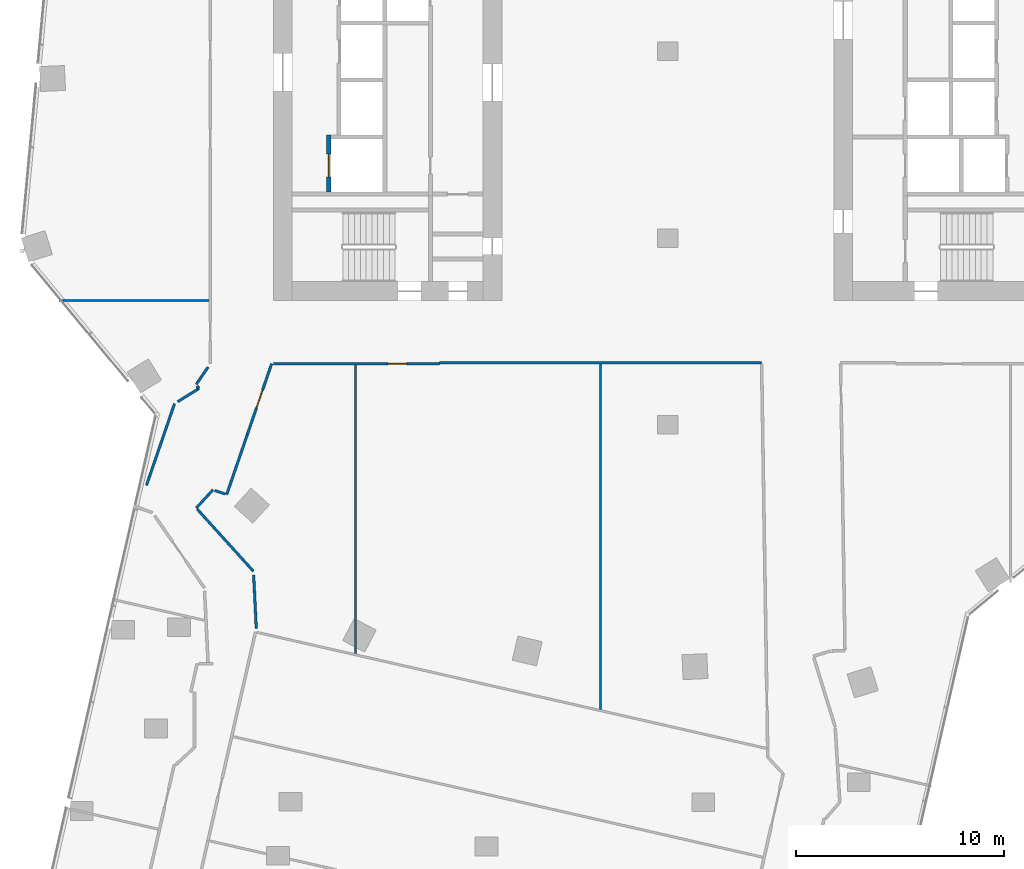
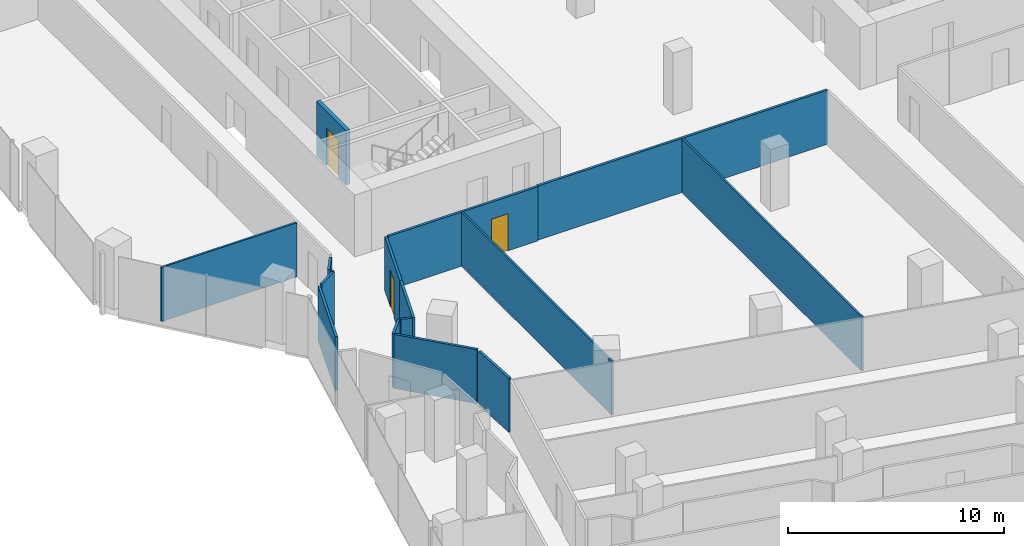
# One storey, part 19 of 24: 16 walls, 3 doors, 3 openings.
"""IFC4 building model written with IfcOpenShell, lengths in metres."""

from ifc_helpers import new_model, si_unit, direction, frame, frame_2d, origin, place, context, subcontext, project, spatial, rectangle, extrude, material, layer, layer_set, type_object, element, fill, save


model = new_model("IFC4")

# Units and contexts
model_context = context("Model", 3, precision=1e-05, world=origin(), true_north=direction((0.0, 1.0)))
body_context = subcontext(model_context, "Body", "Model", "MODEL_VIEW")
ifc_project = project(units=[si_unit("LENGTHUNIT", "METRE"), si_unit("AREAUNIT", "SQUARE_METRE"), si_unit("VOLUMEUNIT", "CUBIC_METRE"), si_unit("PLANEANGLEUNIT", "RADIAN"), si_unit("MASSUNIT", "GRAM", prefix="KILO")], contexts=[model_context])

# Site, building, storey
site_placement = place(None, origin())
site = spatial("IfcSite", under=ifc_project, at=site_placement, CompositionType="ELEMENT")
building_placement = place(site_placement, origin())
building = spatial("IfcBuilding", under=site, at=building_placement, Name="Orlundy Tower", CompositionType="ELEMENT")
storey_placement = place(building_placement, frame((0.0, 0.0, 174.10009765625)))
storey = spatial("IfcBuildingStorey", under=building, at=storey_placement, Name="L45", CompositionType="ELEMENT", Elevation=174.10009765625)

# Walls
ifc_material_1 = material(Name="Gypsum board partition")
ifc_layer_1 = layer(ifc_material_1, 0.10009765625)
ifc_layer_set_1 = layer_set([ifc_layer_1], Name="Floor partition 100")
wall_type_1 = type_object("IfcWallType", Name="Floor partition 100", PredefinedType="PARTITIONING", material=ifc_layer_set_1)
wall_1_placement = place(storey_placement, frame((-3.23388671875, -15.06201171875, 0.0), z_axis=(0.0, 0.0, 1.0), x_axis=(5.8673394e-05, -0.999999998279, 0.0)))
element("IfcWall", 1, at=wall_1_placement, inside=storey, type_object=wall_type_1, Name="wall-int-L45-001", PredefinedType="PARTITIONING", context=body_context, shape_type="SweptSolid", body=[
    extrude(rectangle(XDim=16.64404296875, YDim=0.10009765625, at=frame_2d((8.322021484375, 0.0))), origin(), (0.0, 0.0, 1.0), 3.059814453125),
])
wall_2_placement = place(storey_placement, frame((-29.346923828125, -12.0, 0.0), z_axis=(0.0, 0.0, 1.0), x_axis=(1.0, 0.0, 0.0)))
element("IfcWall", 2, at=wall_2_placement, inside=storey, type_object=wall_type_1, Name="wall-int-L45-041", PredefinedType="PARTITIONING", context=body_context, shape_type="SweptSolid", body=[
    extrude(rectangle(XDim=7.23388671875, YDim=0.10009765625, at=frame_2d((3.616943359375, 0.0))), origin(), (0.0, 0.0, 1.0), 3.059814453125),
])
wall_3_placement = place(storey_placement, frame((-15.041015625, -29.01611328125, 0.0), z_axis=(0.0, 0.0, 1.0), x_axis=(0.0, 1.0, 0.0)))
element("IfcWall", 3, at=wall_3_placement, inside=storey, type_object=wall_type_1, Name="wall-int-L45-080", PredefinedType="PARTITIONING", context=body_context, shape_type="SweptSolid", body=[
    extrude(rectangle(XDim=13.902099609375, YDim=0.10009765625, at=frame_2d((6.951171875, 0.0))), origin(), (0.0, 0.0, 1.0), 3.059814453125),
])
ifc_material_2 = material(Name="Gypsum board partition, double layer")
ifc_layer_2 = layer(ifc_material_2, 0.125)
ifc_layer_set_2 = layer_set([ifc_layer_2], Name="Floor partition 125")
wall_type_2 = type_object("IfcWallType", Name="Floor partition 125", PredefinedType="PARTITIONING", material=ifc_layer_set_2)
wall_4_placement = place(storey_placement, frame((-19.9560546875, -25.23193359375, 0.0), z_axis=(0.0, 0.0, 1.0), x_axis=(0.048635402931, -0.998816598571, 0.0)))
element("IfcWall", 4, at=wall_4_placement, inside=storey, type_object=wall_type_2, Name="wall-int-L45-006", PredefinedType="PARTITIONING", context=body_context, shape_type="SweptSolid", body=[
    extrude(rectangle(XDim=2.59033203125, YDim=0.125, at=frame_2d((1.295166015625, 0.0))), origin(), (0.0, 0.0, 1.0), 3.059814453125),
])
wall_5_placement = place(storey_placement, frame((-22.681884765625, -16.135009765625, 0.0), z_axis=(0.0, 0.0, 1.0), x_axis=(0.530154156877, -0.847901273702, 0.0)))
element("IfcWall", 5, at=wall_5_placement, inside=storey, type_object=wall_type_2, Name="wall-int-L45-009", PredefinedType="PARTITIONING", context=body_context, shape_type="SweptSolid", body=[
    extrude(rectangle(XDim=0.141357421875, YDim=0.125, at=frame_2d((0.07080078125, 0.0))), origin(), (0.0, 0.0, 1.0), 3.059814453125),
])
wall_6_placement = place(storey_placement, frame((-19.965087890625, -25.056884765625, 0.0), z_axis=(0.0, 0.0, 1.0), x_axis=(-0.671014368504, 0.741444345356, 0.0)))
element("IfcWall", 6, at=wall_6_placement, inside=storey, type_object=wall_type_2, Name="wall-int-L45-011", PredefinedType="PARTITIONING", context=body_context, shape_type="SweptSolid", body=[
    extrude(rectangle(XDim=4.048828125, YDim=0.125, at=frame_2d((2.0244140625, 0.0))), origin(), (0.0, 0.0, 1.0), 3.059814453125),
])
wall_7_placement = place(storey_placement, frame((-21.826904296875, -21.159912109375, 0.0), z_axis=(0.0, 0.0, 1.0), x_axis=(0.94566493533, -0.325142784155, 0.0)))
element("IfcWall", 7, at=wall_7_placement, inside=storey, type_object=wall_type_2, Name="wall-int-L45-012", PredefinedType="PARTITIONING", context=body_context, shape_type="SweptSolid", body=[
    extrude(rectangle(XDim=0.541259765625, YDim=0.125, at=frame_2d((0.2705078125, 0.0))), origin(), (0.0, 0.0, 1.0), 3.059814453125),
])

# Wall, opening, door
wall_8_placement = place(storey_placement, frame((-10.990966796875, -15.051025390625, 0.0), z_axis=(0.0, 0.0, 1.0), x_axis=(-1.0, 0.0, 0.0)))
wall_8 = element("IfcWall", 8, at=wall_8_placement, inside=storey, type_object=wall_type_2, Name="wall-int-L45-037", PredefinedType="PARTITIONING", context=body_context, shape_type="SweptSolid", body=[
    extrude(rectangle(XDim=8.010009765625, YDim=0.125, at=frame_2d((4.0048828125, 0.0))), origin(), (0.0, 0.0, 1.0), 3.059814453125),
])
opening_1_placement = place(wall_8_placement, frame((1.60009765625, 0.0, 0.0)))
opening_1 = element("IfcOpeningElement", 9, at=opening_1_placement, cuts=wall_8, Name="Opening 35114", PredefinedType="OPENING", context=body_context, shape_type="SweptSolid", body=[
    extrude(rectangle(XDim=0.89990234375, YDim=2.10009765625, at=frame_2d((0.449951171875, 1.050048828125))), frame((0.0, 0.072509765625, 0.0), z_axis=(0.0, -1.0, 0.0), x_axis=(1.0, 0.0, 0.0)), (0.0, 0.0, 1.0), 0.14501953125),
])
ifc_material_3 = material(Name="Timber door leaf", Category="wood")
door_type_1 = type_object("IfcDoorType", Name="Floor door single 900 FD30S", OperationType="NOTDEFINED", PredefinedType="DOOR", material=ifc_material_3)
door_1_placement = place(opening_1_placement, origin())
door_1 = element("IfcDoor", 10, at=door_1_placement, inside=storey, type_object=door_type_1, Name="Door 35114", OperationType="SINGLE_SWING_LEFT", OverallHeight=2.10009765625, OverallWidth=0.89990234375, PredefinedType="DOOR", context=body_context, shape_type="SweptSolid", body=[
    extrude(rectangle(XDim=0.89990234375, YDim=2.10009765625, at=frame_2d((0.449951171875, 1.050048828125))), frame((0.0, 0.02490234375, 0.0), z_axis=(0.0, -1.0, 0.0), x_axis=(1.0, 0.0, 0.0)), (0.0, 0.0, 1.0), 0.050048828125),
])
fill(opening_1, door_1)

# Walls
wall_9_placement = place(storey_placement, frame((-10.989990234375, -15.0009765625, 0.0), z_axis=(0.0, 0.0, 1.0), x_axis=(0.999999992074, 0.000125902959, 0.0)))
element("IfcWall", 11, at=wall_9_placement, inside=storey, type_object=wall_type_2, Name="wall-int-L45-039", PredefinedType="PARTITIONING", context=body_context, shape_type="SweptSolid", body=[
    extrude(rectangle(XDim=15.512939453125, YDim=0.125, at=frame_2d((7.75634765625, 0.0))), origin(), (0.0, 0.0, 1.0), 3.059814453125),
])
wall_10_placement = place(storey_placement, frame((-23.6201171875, -16.884033203125, 0.0), z_axis=(0.0, 0.0, 1.0), x_axis=(0.849535775132, 0.527531010245, 0.0)))
element("IfcWall", 12, at=wall_10_placement, inside=storey, type_object=wall_type_2, Name="wall-int-L45-053", PredefinedType="PARTITIONING", context=body_context, shape_type="SweptSolid", body=[
    extrude(rectangle(XDim=1.192626953125, YDim=0.125, at=frame_2d((0.59619140625, 0.0))), origin(), (0.0, 0.0, 1.0), 3.059814453125),
])
wall_11_placement = place(storey_placement, frame((-22.72412109375, -22.009033203125, 0.0), z_axis=(0.0, 0.0, 1.0), x_axis=(0.675881994125, 0.737009857477, 0.0)))
element("IfcWall", 13, at=wall_11_placement, inside=storey, type_object=wall_type_2, Name="wall-int-L45-054", PredefinedType="PARTITIONING", context=body_context, shape_type="SweptSolid", body=[
    extrude(rectangle(XDim=1.194091796875, YDim=0.125, at=frame_2d((0.59716796875, 0.0))), origin(), (0.0, 0.0, 1.0), 3.059814453125),
])
wall_12_placement = place(storey_placement, frame((-22.722900390625, -16.044921875, 0.0), z_axis=(0.0, 0.0, 1.0), x_axis=(0.567177272103, 0.823595739431, 0.0)))
element("IfcWall", 14, at=wall_12_placement, inside=storey, type_object=wall_type_2, Name="wall-int-L45-055", PredefinedType="PARTITIONING", context=body_context, shape_type="SweptSolid", body=[
    extrude(rectangle(XDim=1.00634765625, YDim=0.125, at=frame_2d((0.503173828125, 0.0))), origin(), (0.0, 0.0, 1.0), 3.059814453125),
])

# Wall, opening, door
wall_13_placement = place(storey_placement, frame((-19.089111328125, -15.051025390625, 0.0), z_axis=(0.0, 0.0, 1.0), x_axis=(-0.32495907715, -0.945728078349, 0.0)))
wall_13 = element("IfcWall", 15, at=wall_13_placement, inside=storey, type_object=wall_type_2, Name="wall-int-L45-056", PredefinedType="PARTITIONING", context=body_context, shape_type="SweptSolid", body=[
    extrude(rectangle(XDim=3.6181640625, YDim=0.125, at=frame_2d((1.80908203125, 0.0))), origin(), (0.0, 0.0, 1.0), 3.059814453125),
])
opening_2_placement = place(wall_13_placement, frame((1.35009765625, 0.0, 0.0)))
opening_2 = element("IfcOpeningElement", 16, at=opening_2_placement, cuts=wall_13, Name="Opening 35113", PredefinedType="OPENING", context=body_context, shape_type="SweptSolid", body=[
    extrude(rectangle(XDim=0.89990234375, YDim=2.10009765625, at=frame_2d((0.449951171875, 1.050048828125))), frame((0.0, 0.072509765625, 0.0), z_axis=(0.0, -1.0, 0.0), x_axis=(1.0, 0.0, 0.0)), (0.0, 0.0, 1.0), 0.14501953125),
])
door_2_placement = place(opening_2_placement, origin())
door_2 = element("IfcDoor", 17, at=door_2_placement, inside=storey, type_object=door_type_1, Name="Door 35113", OperationType="SINGLE_SWING_LEFT", OverallHeight=2.10009765625, OverallWidth=0.89990234375, PredefinedType="DOOR", context=body_context, shape_type="SweptSolid", body=[
    extrude(rectangle(XDim=0.89990234375, YDim=2.10009765625, at=frame_2d((0.449951171875, 1.050048828125))), frame((0.0, 0.02490234375, 0.0), z_axis=(0.0, -1.0, 0.0), x_axis=(1.0, 0.0, 0.0)), (0.0, 0.0, 1.0), 0.050048828125),
])
fill(opening_2, door_2)

# Walls
wall_14_placement = place(storey_placement, frame((-21.2548828125, -21.35595703125, 0.0), z_axis=(0.0, 0.0, 1.0), x_axis=(0.324768620484, 0.94579349921, 0.0)))
element("IfcWall", 18, at=wall_14_placement, inside=storey, type_object=wall_type_2, Name="wall-int-L45-057", PredefinedType="PARTITIONING", context=body_context, shape_type="SweptSolid", body=[
    extrude(rectangle(XDim=3.04833984375, YDim=0.125, at=frame_2d((1.524169921875, 0.0))), origin(), (0.0, 0.0, 1.0), 3.059814453125),
])
wall_15_placement = place(storey_placement, frame((-25.123046875, -20.9169921875, 0.0), z_axis=(0.0, 0.0, 1.0), x_axis=(0.324794759411, 0.945784523165, 0.0)))
element("IfcWall", 19, at=wall_15_placement, inside=storey, type_object=wall_type_2, Name="wall-int-L45-058", PredefinedType="PARTITIONING", context=body_context, shape_type="SweptSolid", body=[
    extrude(rectangle(XDim=4.165771484375, YDim=0.125, at=frame_2d((2.0830078125, 0.0))), origin(), (0.0, 0.0, 1.0), 3.059814453125),
])

# Wall, opening, door
ifc_material_4 = material(Name="Fire-rated blockwork shaft wall", Category="masonry")
ifc_layer_3 = layer(ifc_material_4, 0.199951171875)
ifc_layer_set_3 = layer_set([ifc_layer_3], Name="Shaft Wall 200")
wall_type_3 = type_object("IfcWallType", Name="Shaft Wall 200", PredefinedType="SOLIDWALL", material=ifc_layer_set_3)
wall_16_placement = place(storey_placement, frame((-16.340087890625, -6.77490234375, 0.0), z_axis=(0.0, 0.0, 1.0), x_axis=(0.0, 1.0, 0.0)))
wall_16 = element("IfcWall", 20, at=wall_16_placement, inside=storey, type_object=wall_type_3, Name="Shaft wall W35-front-o-a", PredefinedType="SOLIDWALL", context=body_context, shape_type="SweptSolid", body=[
    extrude(rectangle(XDim=2.75, YDim=0.199951171875, at=frame_2d((1.375, 0.0))), origin(), (0.0, 0.0, 1.0), 3.079833984375),
])
opening_3_placement = place(wall_16_placement, frame((0.72509765625, 0.0, 0.0)))
opening_3 = element("IfcOpeningElement", 21, at=opening_3_placement, cuts=wall_16, Name="Opening 35001", PredefinedType="OPENING", context=body_context, shape_type="SweptSolid", body=[
    extrude(rectangle(XDim=1.10009765625, YDim=2.10009765625, at=frame_2d((0.550048828125, 1.050048828125))), frame((0.0, 0.110107421875, 0.0), z_axis=(0.0, -1.0, 0.0), x_axis=(1.0, 0.0, 0.0)), (0.0, 0.0, 1.0), 0.22021484375),
])
ifc_material_5 = material(Name="Steel door set", Category="steel")
door_type_2 = type_object("IfcDoorType", Name="Landing Door 1100x2100", OperationType="DOUBLE_DOOR_SLIDING", PredefinedType="DOOR", material=ifc_material_5)
door_3_placement = place(opening_3_placement, origin())
door_3 = element("IfcDoor", 22, at=door_3_placement, inside=storey, type_object=door_type_2, Name="Lift landing door LV-01 35001", OperationType="DOUBLE_DOOR_SLIDING", OverallHeight=2.10009765625, OverallWidth=1.10009765625, PredefinedType="DOOR", context=body_context, shape_type="SweptSolid", body=[
    extrude(rectangle(XDim=1.10009765625, YDim=2.10009765625, at=frame_2d((0.550048828125, 1.050048828125))), frame((0.0, 0.02490234375, 0.0), z_axis=(0.0, -1.0, 0.0), x_axis=(1.0, 0.0, 0.0)), (0.0, 0.0, 1.0), 0.050048828125),
])
fill(opening_3, door_3)

save(model, "model.ifc")
